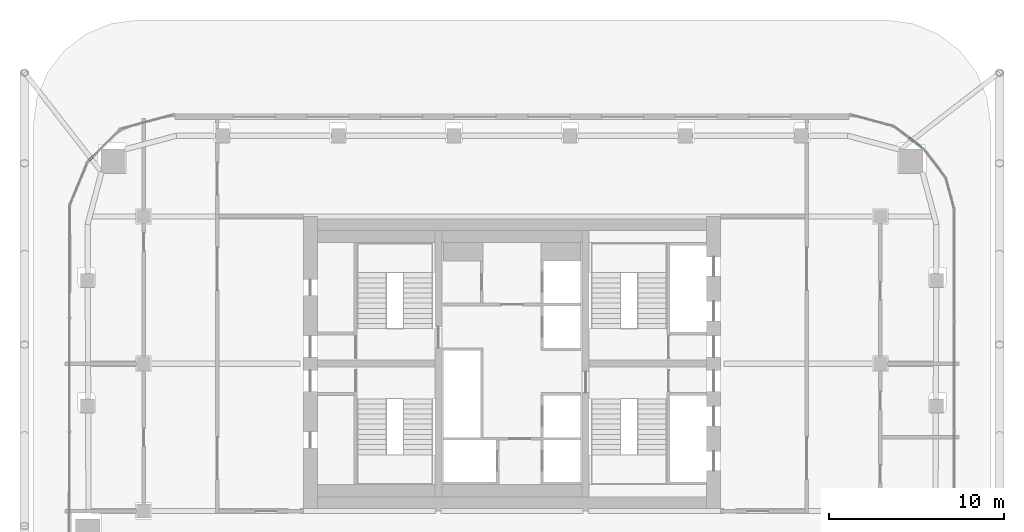
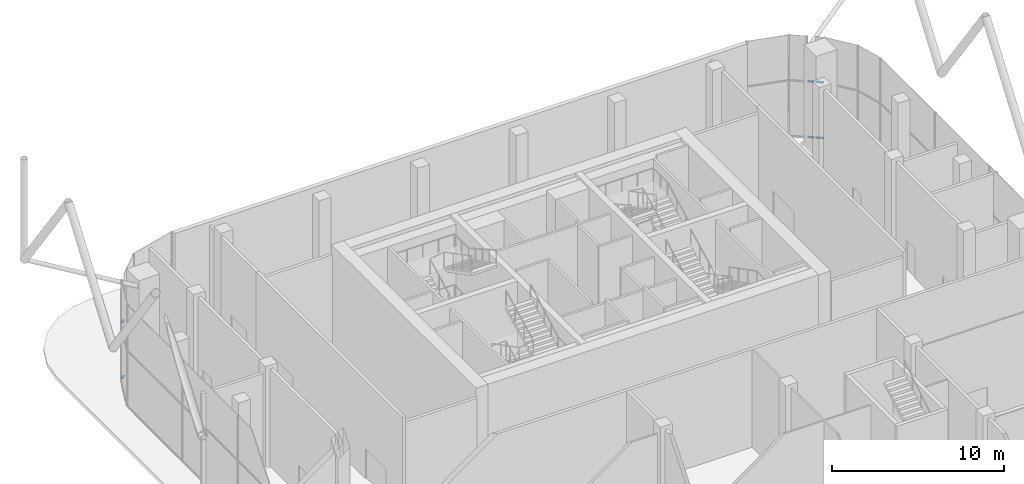
# One storey, part 12 of 25: 6 members, 3 elements without a shape of their own.
"""IFC4 building model written with IfcOpenShell, lengths in metres."""

from ifc_helpers import new_model, si_unit, direction, frame, origin, origin_2d, place, context, subcontext, project, spatial, rectangle, extrude, material, layer, layer_set, material_profile, profile_set, type_object, element, aggregate, save


model = new_model("IFC4")

# Units and contexts
model_context = context("Model", 3, precision=1e-05, world=origin(), true_north=direction((0.0, 1.0)))
body_context = subcontext(model_context, "Body", "Model", "MODEL_VIEW")
ifc_project = project(units=[si_unit("LENGTHUNIT", "METRE"), si_unit("AREAUNIT", "SQUARE_METRE"), si_unit("VOLUMEUNIT", "CUBIC_METRE"), si_unit("PLANEANGLEUNIT", "RADIAN"), si_unit("MASSUNIT", "GRAM", prefix="KILO")], contexts=[model_context])

# Site, building, storey
site_placement = place(None, origin())
site = spatial("IfcSite", under=ifc_project, at=site_placement, CompositionType="ELEMENT")
building_placement = place(site_placement, origin())
building = spatial("IfcBuilding", under=site, at=building_placement, Name="Marenta Gate Hotel Tower", CompositionType="ELEMENT")
storey_placement = place(building_placement, frame((0.0, 0.0, 180.5)))
storey = spatial("IfcBuildingStorey", under=building, at=storey_placement, Name="L41", CompositionType="ELEMENT", Elevation=180.5)

# Curtain wall, members
ifc_material_1 = material(Name="Tinted insulated glass in bronze anodised frame", Category="glass")
ifc_layer = layer(ifc_material_1, 0.1298828125)
ifc_layer_set = layer_set([ifc_layer], Name="Tinted insulated glass in bronze anodised frame")
curtain_wall_type = type_object("IfcCurtainWallType", Name="Sky lobby glazing CW2", PredefinedType="NOTDEFINED", material=ifc_layer_set)
curtain_wall_1_placement = place(storey_placement, origin())
curtain_wall_1 = element("IfcCurtainWall", 1, at=curtain_wall_1_placement, inside=storey, type_object=curtain_wall_type, Name="CW2 run G02", PredefinedType="NOTDEFINED")
ifc_material_2 = material(Name="Bronze anodised aluminium", Category="aluminium")
ifc_material_profile = material_profile(ifc_material_2, rectangle(XDim=0.1298828125, YDim=0.080078125, at=origin_2d()), Name="Transom CW2 80x130 bronze anodised aluminium")
ifc_profile_set = profile_set([ifc_material_profile], Name="Bronze anodised aluminium")
member_type = type_object("IfcMemberType", Name="Transom CW2 80x130 bronze anodised aluminium", PredefinedType="USERDEFINED", material=ifc_profile_set)
member_1_placement = place(storey_placement, frame((-23.90185546875, 20.21044921875, 0.0400390625), z_axis=(-0.706695313859, -0.707518009219, 0.0), x_axis=(0.707518009219, -0.706695313859, 0.0)))
member_1 = element("IfcMember", 2, at=member_1_placement, type_object=member_type, Name="CW2 transom 1.1", ObjectType="TRANSOM", PredefinedType="USERDEFINED", context=body_context, shape_type="SweptSolid", body=[
    extrude(rectangle(XDim=0.1298828125, YDim=0.080078125, at=origin_2d()), origin(), (0.0, 0.0, 1.0), 0.296875),
])
member_2_placement = place(storey_placement, frame((-23.90185546875, 20.21044921875, 4.0), z_axis=(-0.706695313859, -0.707518009219, 0.0), x_axis=(0.707518009219, -0.706695313859, 0.0)))
member_2 = element("IfcMember", 3, at=member_2_placement, type_object=member_type, Name="CW2 transom 1.2", ObjectType="TRANSOM", PredefinedType="USERDEFINED", context=body_context, shape_type="SweptSolid", body=[
    extrude(rectangle(XDim=0.1298828125, YDim=0.080078125, at=origin_2d()), origin(), (0.0, 0.0, 1.0), 0.296875),
])
aggregate(curtain_wall_1, [member_1, member_2])

curtain_wall_2_placement = place(storey_placement, origin())
curtain_wall_2 = element("IfcCurtainWall", 4, at=curtain_wall_2_placement, inside=storey, type_object=curtain_wall_type, Name="CW2 run G22", PredefinedType="NOTDEFINED")
member_3_placement = place(storey_placement, frame((23.392822265625, 20.704833984375, 0.0400390625), z_axis=(-0.793484714267, 0.608590180848, 0.0), x_axis=(-0.608590180848, -0.793484714267, 0.0)))
member_3 = element("IfcMember", 5, at=member_3_placement, type_object=member_type, Name="CW2 transom 1.1", ObjectType="TRANSOM", PredefinedType="USERDEFINED", context=body_context, shape_type="SweptSolid", body=[
    extrude(rectangle(XDim=0.1298828125, YDim=0.080078125, at=origin_2d()), origin(), (0.0, 0.0, 1.0), 0.484619140625),
])
member_4_placement = place(storey_placement, frame((23.392822265625, 20.704833984375, 4.0), z_axis=(-0.793484714267, 0.608590180848, 0.0), x_axis=(-0.608590180848, -0.793484714267, 0.0)))
member_4 = element("IfcMember", 6, at=member_4_placement, type_object=member_type, Name="CW2 transom 1.2", ObjectType="TRANSOM", PredefinedType="USERDEFINED", context=body_context, shape_type="SweptSolid", body=[
    extrude(rectangle(XDim=0.1298828125, YDim=0.080078125, at=origin_2d()), origin(), (0.0, 0.0, 1.0), 0.484619140625),
])
aggregate(curtain_wall_2, [member_3, member_4])

curtain_wall_3_placement = place(storey_placement, origin())
curtain_wall_3 = element("IfcCurtainWall", 7, at=curtain_wall_3_placement, inside=storey, type_object=curtain_wall_type, Name="CW2 run G23", PredefinedType="NOTDEFINED")
member_5_placement = place(storey_placement, frame((22.94482421875, 21.048583984375, 0.0400390625), z_axis=(-0.793464665215, 0.60861632007, 0.0), x_axis=(-0.60861632007, -0.793464665215, 0.0)))
member_5 = element("IfcMember", 8, at=member_5_placement, type_object=member_type, Name="CW2 transom 1.1", ObjectType="TRANSOM", PredefinedType="USERDEFINED", context=body_context, shape_type="SweptSolid", body=[
    extrude(rectangle(XDim=0.1298828125, YDim=0.080078125, at=origin_2d()), origin(), (0.0, 0.0, 1.0), 0.38818359375),
])
member_6_placement = place(storey_placement, frame((22.94482421875, 21.048583984375, 4.0), z_axis=(-0.793464665215, 0.60861632007, 0.0), x_axis=(-0.60861632007, -0.793464665215, 0.0)))
member_6 = element("IfcMember", 9, at=member_6_placement, type_object=member_type, Name="CW2 transom 1.2", ObjectType="TRANSOM", PredefinedType="USERDEFINED", context=body_context, shape_type="SweptSolid", body=[
    extrude(rectangle(XDim=0.1298828125, YDim=0.080078125, at=origin_2d()), origin(), (0.0, 0.0, 1.0), 0.38818359375),
])
aggregate(curtain_wall_3, [member_5, member_6])

save(model, "model.ifc")
